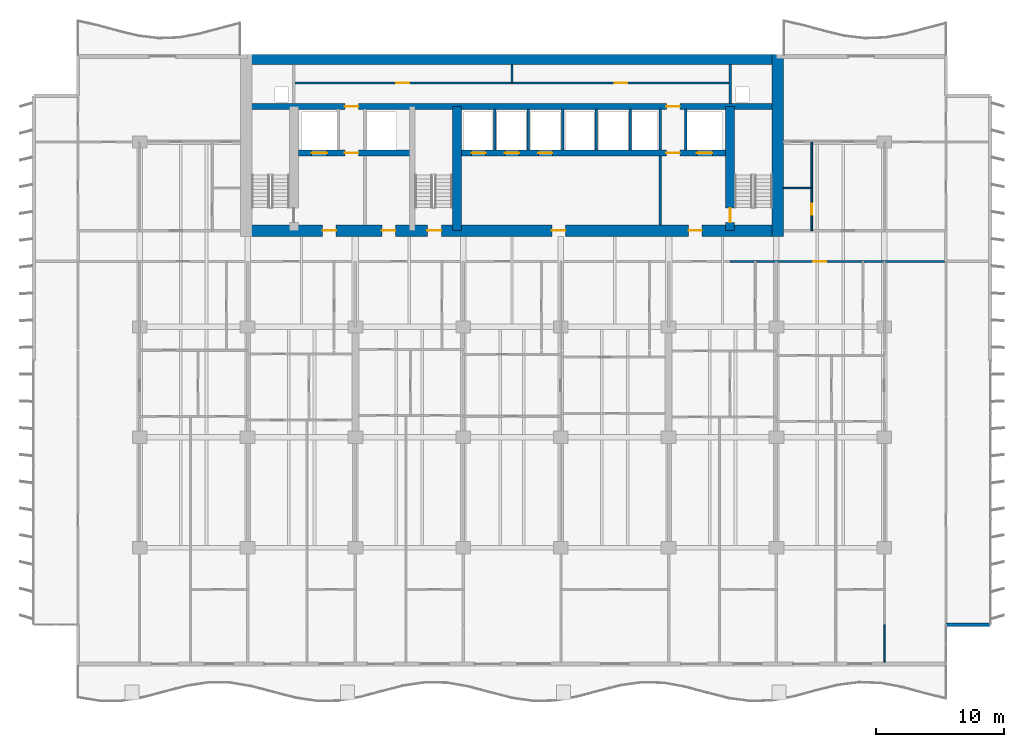
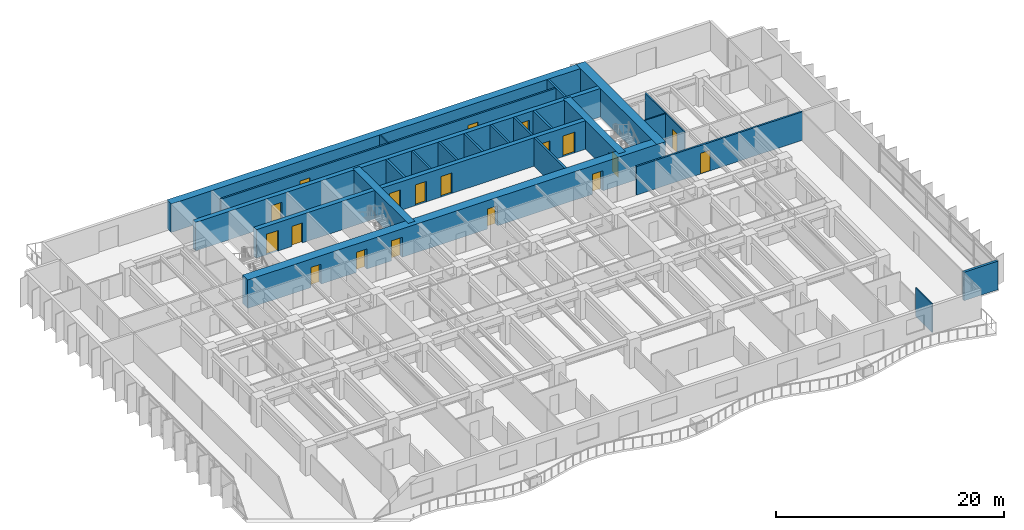
# One storey, part 11 of 17: 23 walls, 19 doors, 19 openings.
"""IFC4 building model written with IfcOpenShell, lengths in metres."""

from ifc_helpers import new_model, si_unit, direction, frame, frame_2d, origin, place, context, subcontext, project, spatial, rectangle, extrude, material, layer, layer_set, type_object, element, fill, save


model = new_model("IFC4")

# Units and contexts
model_context = context("Model", 3, precision=1e-05, world=origin(), true_north=direction((0.0, 1.0)))
body_context = subcontext(model_context, "Body", "Model", "MODEL_VIEW")
ifc_project = project(units=[si_unit("LENGTHUNIT", "METRE"), si_unit("AREAUNIT", "SQUARE_METRE"), si_unit("VOLUMEUNIT", "CUBIC_METRE"), si_unit("PLANEANGLEUNIT", "RADIAN"), si_unit("MASSUNIT", "GRAM", prefix="KILO")], contexts=[model_context])

# Site, building, storey
site_placement = place(None, origin())
site = spatial("IfcSite", under=ifc_project, at=site_placement, CompositionType="ELEMENT")
building_placement = place(site_placement, origin())
building = spatial("IfcBuilding", under=site, at=building_placement, Name="Caelmar Bay Residences", CompositionType="ELEMENT")
storey_placement = place(building_placement, frame((0.0, 0.0, 33.300048828125)))
storey = spatial("IfcBuildingStorey", under=building, at=storey_placement, Name="L07", CompositionType="ELEMENT", Elevation=33.300048828125)

# Wall, opening, door
ifc_material_1 = material(Name="Concrete f'c 55 MPa (8,000 psi)", Category="concrete")
ifc_layer_1 = layer(ifc_material_1, 0.699951171875)
ifc_layer_set_1 = layer_set([ifc_layer_1], Name="Concrete f'c 55 MPa (8,000 psi)")
wall_type_1 = type_object("IfcWallType", Name="SW-COR-700", PredefinedType="SHEAR", material=ifc_layer_set_1)
wall_1_placement = place(storey_placement, frame((55.89990234375, 36.89990234375, 0.0), z_axis=(0.0, 0.0, 1.0), x_axis=(0.0, 1.0, 0.0)))
wall_1 = element("IfcWall", 1, at=wall_1_placement, inside=storey, type_object=wall_type_1, Name="L07 Core Structural Web Wall ST2W", PredefinedType="SHEAR", context=body_context, shape_type="SweptSolid", body=[
    extrude(rectangle(XDim=9.675048828125, YDim=0.699951171875, at=frame_2d((4.83740234375, 0.0))), origin(), (0.0, 0.0, 1.0), 3.050048828125),
])
opening_1_placement = place(wall_1_placement, frame((0.64990234375, 0.0, 0.0)))
opening_1 = element("IfcOpeningElement", 2, at=opening_1_placement, cuts=wall_1, Name="Opening D-L07-111", PredefinedType="OPENING", context=body_context, shape_type="SweptSolid", body=[
    extrude(rectangle(XDim=1.10009765625, YDim=2.14990234375, at=frame_2d((0.550048828125, 1.074951171875))), frame((0.0, 0.35986328125, 0.0), z_axis=(0.0, -1.0, 0.0), x_axis=(1.0, 0.0, 0.0)), (0.0, 0.0, 1.0), 0.719970703125),
])
ifc_material_2 = material(Name="Fire-rated steel and walnut architectural door assembly", Category="steel")
ifc_layer_2 = layer(ifc_material_2, 0.050048828125)
ifc_layer_set_2 = layer_set([ifc_layer_2], Name="Fire-rated steel and walnut architectural door assembly")
door_type_1 = type_object("IfcDoorType", Name="D-STAIR-1100", OperationType="NOTDEFINED", PredefinedType="DOOR", material=ifc_layer_set_2)
door_1_placement = place(opening_1_placement, origin())
door_1 = element("IfcDoor", 3, at=door_1_placement, inside=storey, type_object=door_type_1, Name="L07 Firefighting Lobby East Door", OperationType="SINGLE_SWING_RIGHT", OverallHeight=2.14990234375, OverallWidth=1.10009765625, PredefinedType="DOOR", context=body_context, shape_type="SweptSolid", body=[
    extrude(rectangle(XDim=1.10009765625, YDim=2.14990234375, at=frame_2d((0.550048828125, 1.074951171875))), frame((0.0, 0.02490234375, 0.0), z_axis=(0.0, -1.0, 0.0), x_axis=(1.0, 0.0, 0.0)), (0.0, 0.0, 1.0), 0.050048828125),
])
fill(opening_1, door_1)

# Wall
wall_2_placement = place(storey_placement, frame((34.60009765625, 36.89990234375, 0.0), z_axis=(0.0, 0.0, 1.0), x_axis=(0.0, 1.0, 0.0)))
element("IfcWall", 4, at=wall_2_placement, inside=storey, type_object=wall_type_1, Name="L07 Core Structural Web Wall ST3E", PredefinedType="SHEAR", context=body_context, shape_type="SweptSolid", body=[
    extrude(rectangle(XDim=9.675048828125, YDim=0.699951171875, at=frame_2d((4.83740234375, 0.0))), origin(), (0.0, 0.0, 1.0), 3.050048828125),
])

# Wall, openings, doors
ifc_material_3 = material(Name="Concrete f'c 70 MPa (10,000 psi)", Category="concrete")
ifc_layer_3 = layer(ifc_material_3, 0.89990234375)
ifc_layer_set_3 = layer_set([ifc_layer_3], Name="Concrete f'c 70 MPa (10,000 psi)")
wall_type_2 = type_object("IfcWallType", Name="SW-COR-900", PredefinedType="SHEAR", material=ifc_layer_set_3)
wall_3_placement = place(storey_placement, frame((17.75, 36.89990234375, 0.0), z_axis=(0.0, 0.0, 1.0), x_axis=(1.0, 0.0, 0.0)))
wall_3 = element("IfcWall", 5, at=wall_3_placement, inside=storey, type_object=wall_type_2, Name="L07 Rear Core South Shear Wall", PredefinedType="SHEAR", context=body_context, shape_type="SweptSolid", body=[
    extrude(rectangle(XDim=42.300048828125, YDim=0.89990234375, at=frame_2d((21.14990234375, 0.0))), origin(), (0.0, 0.0, 1.0), 3.050048828125),
])
opening_2_placement = place(wall_3_placement, frame((14.550048828125, 0.0, 0.0)))
opening_2 = element("IfcOpeningElement", 6, at=opening_2_placement, cuts=wall_3, Name="Opening D-L07-106", PredefinedType="OPENING", context=body_context, shape_type="SweptSolid", body=[
    extrude(rectangle(XDim=1.10009765625, YDim=2.14990234375, at=frame_2d((0.550048828125, 1.074951171875))), frame((0.0, 0.4599609375, 0.0), z_axis=(0.0, -1.0, 0.0), x_axis=(1.0, 0.0, 0.0)), (0.0, 0.0, 1.0), 0.919921875),
])
opening_3_placement = place(wall_3_placement, frame((6.39990234375, 0.0, 0.0)))
opening_3 = element("IfcOpeningElement", 7, at=opening_3_placement, cuts=wall_3, Name="Opening D-L07-107", PredefinedType="OPENING", context=body_context, shape_type="SweptSolid", body=[
    extrude(rectangle(XDim=1.050048828125, YDim=2.14990234375, at=frame_2d((0.52490234375, 1.074951171875))), frame((0.0, 0.4599609375, 0.0), z_axis=(0.0, -1.0, 0.0), x_axis=(1.0, 0.0, 0.0)), (0.0, 0.0, 1.0), 0.919921875),
])
opening_4_placement = place(wall_3_placement, frame((34.89990234375, 0.0, 0.0)))
opening_4 = element("IfcOpeningElement", 8, at=opening_4_placement, cuts=wall_3, Name="Opening D-L07-110", PredefinedType="OPENING", context=body_context, shape_type="SweptSolid", body=[
    extrude(rectangle(XDim=1.050048828125, YDim=2.14990234375, at=frame_2d((0.52490234375, 1.074951171875))), frame((0.0, 0.4599609375, 0.0), z_axis=(0.0, -1.0, 0.0), x_axis=(1.0, 0.0, 0.0)), (0.0, 0.0, 1.0), 0.919921875),
])
opening_5_placement = place(wall_3_placement, frame((11.012451171875, 0.0, 0.0)))
opening_5 = element("IfcOpeningElement", 9, at=opening_5_placement, cuts=wall_3, Name="Opening D-L07-113", PredefinedType="OPENING", context=body_context, shape_type="SweptSolid", body=[
    extrude(rectangle(XDim=1.050048828125, YDim=2.14990234375, at=frame_2d((0.52490234375, 1.074951171875))), frame((0.0, 0.4599609375, 0.0), z_axis=(0.0, -1.0, 0.0), x_axis=(1.0, 0.0, 0.0)), (0.0, 0.0, 1.0), 0.919921875),
])
opening_6_placement = place(wall_3_placement, frame((24.25, 0.0, 0.0)))
opening_6 = element("IfcOpeningElement", 10, at=opening_6_placement, cuts=wall_3, Name="Opening D-L07-114", PredefinedType="OPENING", context=body_context, shape_type="SweptSolid", body=[
    extrude(rectangle(XDim=1.050048828125, YDim=2.14990234375, at=frame_2d((0.52490234375, 1.074951171875))), frame((0.0, 0.4599609375, 0.0), z_axis=(0.0, -1.0, 0.0), x_axis=(1.0, 0.0, 0.0)), (0.0, 0.0, 1.0), 0.919921875),
])
ifc_layer_4 = layer(ifc_material_2, 0.050048828125)
ifc_layer_set_4 = layer_set([ifc_layer_4], Name="Fire-rated steel and walnut architectural door assembly")
door_type_2 = type_object("IfcDoorType", Name="D-FSAE-1050", OperationType="NOTDEFINED", PredefinedType="DOOR", material=ifc_layer_set_4)
door_2_placement = place(opening_3_placement, origin())
door_2 = element("IfcDoor", 11, at=door_2_placement, inside=storey, type_object=door_type_2, Name="L07 Firefighting Lobby West Door", OperationType="SINGLE_SWING_RIGHT", OverallHeight=2.14990234375, OverallWidth=1.050048828125, PredefinedType="DOOR", context=body_context, shape_type="SweptSolid", body=[
    extrude(rectangle(XDim=1.050048828125, YDim=2.14990234375, at=frame_2d((0.52490234375, 1.074951171875))), frame((0.0, 0.02490234375, 0.0), z_axis=(0.0, -1.0, 0.0), x_axis=(1.0, 0.0, 0.0)), (0.0, 0.0, 1.0), 0.050048828125),
])
fill(opening_3, door_2)
door_3_placement = place(opening_4_placement, origin())
door_3 = element("IfcDoor", 12, at=door_3_placement, inside=storey, type_object=door_type_2, Name="L07 Firefighting Lobby East Door", OperationType="SINGLE_SWING_LEFT", OverallHeight=2.14990234375, OverallWidth=1.050048828125, PredefinedType="DOOR", context=body_context, shape_type="SweptSolid", body=[
    extrude(rectangle(XDim=1.050048828125, YDim=2.14990234375, at=frame_2d((0.52490234375, 1.074951171875))), frame((0.0, 0.02490234375, 0.0), z_axis=(0.0, -1.0, 0.0), x_axis=(1.0, 0.0, 0.0)), (0.0, 0.0, 1.0), 0.050048828125),
])
fill(opening_4, door_3)
door_4_placement = place(opening_5_placement, origin())
door_4 = element("IfcDoor", 13, at=door_4_placement, inside=storey, type_object=door_type_2, Name="L07 West Lift Lobby Door", OperationType="SINGLE_SWING_RIGHT", OverallHeight=2.14990234375, OverallWidth=1.050048828125, PredefinedType="DOOR", context=body_context, shape_type="SweptSolid", body=[
    extrude(rectangle(XDim=1.050048828125, YDim=2.14990234375, at=frame_2d((0.52490234375, 1.074951171875))), frame((0.0, 0.02490234375, 0.0), z_axis=(0.0, -1.0, 0.0), x_axis=(1.0, 0.0, 0.0)), (0.0, 0.0, 1.0), 0.050048828125),
])
fill(opening_5, door_4)
door_5_placement = place(opening_6_placement, origin())
door_5 = element("IfcDoor", 14, at=door_5_placement, inside=storey, type_object=door_type_2, Name="L07 Passenger Lift Lobby Door", OperationType="SINGLE_SWING_LEFT", OverallHeight=2.14990234375, OverallWidth=1.050048828125, PredefinedType="DOOR", context=body_context, shape_type="SweptSolid", body=[
    extrude(rectangle(XDim=1.050048828125, YDim=2.14990234375, at=frame_2d((0.52490234375, 1.074951171875))), frame((0.0, 0.02490234375, 0.0), z_axis=(0.0, -1.0, 0.0), x_axis=(1.0, 0.0, 0.0)), (0.0, 0.0, 1.0), 0.050048828125),
])
fill(opening_6, door_5)
door_6_placement = place(opening_2_placement, origin())
door_6 = element("IfcDoor", 15, at=door_6_placement, inside=storey, type_object=door_type_1, Name="L07 Exit Stair ST3 Door", OperationType="SINGLE_SWING_LEFT", OverallHeight=2.14990234375, OverallWidth=1.10009765625, PredefinedType="DOOR", context=body_context, shape_type="SweptSolid", body=[
    extrude(rectangle(XDim=1.10009765625, YDim=2.14990234375, at=frame_2d((0.550048828125, 1.074951171875))), frame((0.0, 0.02490234375, 0.0), z_axis=(0.0, -1.0, 0.0), x_axis=(1.0, 0.0, 0.0)), (0.0, 0.0, 1.0), 0.050048828125),
])
fill(opening_2, door_6)

# Walls
wall_4_placement = place(storey_placement, frame((59.60009765625, 36.449951171875, 0.0), z_axis=(0.0, 0.0, 1.0), x_axis=(0.0, 1.0, 0.0)))
element("IfcWall", 16, at=wall_4_placement, inside=storey, type_object=wall_type_2, Name="L07 Rear Core East Shear Wall", PredefinedType="SHEAR", context=body_context, shape_type="SweptSolid", body=[
    extrude(rectangle(XDim=14.150146484375, YDim=0.89990234375, at=frame_2d((7.0751953125, 0.0))), origin(), (0.0, 0.0, 1.0), 3.050048828125),
])
ifc_layer_5 = layer(ifc_material_3, 0.75)
ifc_layer_set_5 = layer_set([ifc_layer_5], Name="Concrete f'c 70 MPa (10,000 psi)")
wall_type_3 = type_object("IfcWallType", Name="SW-CORN-750", PredefinedType="SHEAR", material=ifc_layer_set_5)
wall_5_placement = place(storey_placement, frame((17.75, 50.22509765625, 0.0), z_axis=(0.0, 0.0, 1.0), x_axis=(1.0, 0.0, 0.0)))
element("IfcWall", 17, at=wall_5_placement, inside=storey, type_object=wall_type_3, Name="L07 Rear Core North Shear Wall", PredefinedType="SHEAR", context=body_context, shape_type="SweptSolid", body=[
    extrude(rectangle(XDim=42.300048828125, YDim=0.75, at=frame_2d((21.14990234375, 0.0))), origin(), (0.0, 0.0, 1.0), 3.050048828125),
])

# Wall, openings, doors
ifc_layer_6 = layer(ifc_material_3, 0.449951171875)
ifc_layer_set_6 = layer_set([ifc_layer_6], Name="Concrete f'c 70 MPa (10,000 psi)")
wall_type_4 = type_object("IfcWallType", Name="SW-WEB-450", PredefinedType="SHEAR", material=ifc_layer_set_6)
wall_6_placement = place(storey_placement, frame((22.25, 42.949951171875, 0.0), z_axis=(0.0, 0.0, 1.0), x_axis=(1.0, 0.0, 0.0)))
wall_6 = element("IfcWall", 18, at=wall_6_placement, inside=storey, type_object=wall_type_4, Name="L07 Core Structural Web Wall LFR", PredefinedType="SHEAR", context=body_context, shape_type="SweptSolid", body=[
    extrude(rectangle(XDim=33.300048828125, YDim=0.449951171875, at=frame_2d((16.64990234375, 0.0))), origin(), (0.0, 0.0, 1.0), 3.050048828125),
])
opening_7_placement = place(wall_6_placement, frame((1.050048828125, 0.0, 0.0)))
opening_7 = element("IfcOpeningElement", 19, at=opening_7_placement, cuts=wall_6, Name="Opening LD2", PredefinedType="OPENING", context=body_context, shape_type="SweptSolid", body=[
    extrude(rectangle(XDim=1.199951171875, YDim=2.199951171875, at=frame_2d((0.60009765625, 1.10009765625))), frame((0.0, 0.23486328125, 0.0), z_axis=(0.0, -1.0, 0.0), x_axis=(1.0, 0.0, 0.0)), (0.0, 0.0, 1.0), 0.469970703125),
])
opening_8_placement = place(wall_6_placement, frame((31.050048828125, 0.0, 0.0)))
opening_8 = element("IfcOpeningElement", 20, at=opening_8_placement, cuts=wall_6, Name="Opening LD2", PredefinedType="OPENING", context=body_context, shape_type="SweptSolid", body=[
    extrude(rectangle(XDim=1.199951171875, YDim=2.199951171875, at=frame_2d((0.60009765625, 1.10009765625))), frame((0.0, 0.23486328125, 0.0), z_axis=(0.0, -1.0, 0.0), x_axis=(1.0, 0.0, 0.0)), (0.0, 0.0, 1.0), 0.469970703125),
])
opening_9_placement = place(wall_6_placement, frame((13.5, 0.0, 0.0)))
opening_9 = element("IfcOpeningElement", 21, at=opening_9_placement, cuts=wall_6, Name="Opening LD1", PredefinedType="OPENING", context=body_context, shape_type="SweptSolid", body=[
    extrude(rectangle(XDim=1.10009765625, YDim=2.199951171875, at=frame_2d((0.550048828125, 1.10009765625))), frame((0.0, 0.23486328125, 0.0), z_axis=(0.0, -1.0, 0.0), x_axis=(1.0, 0.0, 0.0)), (0.0, 0.0, 1.0), 0.469970703125),
])
opening_10_placement = place(wall_6_placement, frame((16.10009765625, 0.0, 0.0)))
opening_10 = element("IfcOpeningElement", 22, at=opening_10_placement, cuts=wall_6, Name="Opening LD1", PredefinedType="OPENING", context=body_context, shape_type="SweptSolid", body=[
    extrude(rectangle(XDim=1.10009765625, YDim=2.199951171875, at=frame_2d((0.550048828125, 1.10009765625))), frame((0.0, 0.23486328125, 0.0), z_axis=(0.0, -1.0, 0.0), x_axis=(1.0, 0.0, 0.0)), (0.0, 0.0, 1.0), 0.469970703125),
])
opening_11_placement = place(wall_6_placement, frame((18.699951171875, 0.0, 0.0)))
opening_11 = element("IfcOpeningElement", 23, at=opening_11_placement, cuts=wall_6, Name="Opening LD1", PredefinedType="OPENING", context=body_context, shape_type="SweptSolid", body=[
    extrude(rectangle(XDim=1.10009765625, YDim=2.199951171875, at=frame_2d((0.550048828125, 1.10009765625))), frame((0.0, 0.23486328125, 0.0), z_axis=(0.0, -1.0, 0.0), x_axis=(1.0, 0.0, 0.0)), (0.0, 0.0, 1.0), 0.469970703125),
])
opening_12_placement = place(wall_6_placement, frame((3.625, 0.0, 0.0)))
opening_12 = element("IfcOpeningElement", 24, at=opening_12_placement, cuts=wall_6, Name="Opening D-L07-109", PredefinedType="OPENING", context=body_context, shape_type="SweptSolid", body=[
    extrude(rectangle(XDim=1.050048828125, YDim=2.14990234375, at=frame_2d((0.52490234375, 1.074951171875))), frame((0.0, 0.23486328125, 0.0), z_axis=(0.0, -1.0, 0.0), x_axis=(1.0, 0.0, 0.0)), (0.0, 0.0, 1.0), 0.469970703125),
])
opening_13_placement = place(wall_6_placement, frame((28.675048828125, 0.0, 0.0)))
opening_13 = element("IfcOpeningElement", 25, at=opening_13_placement, cuts=wall_6, Name="Opening D-L07-112", PredefinedType="OPENING", context=body_context, shape_type="SweptSolid", body=[
    extrude(rectangle(XDim=1.050048828125, YDim=2.14990234375, at=frame_2d((0.52490234375, 1.074951171875))), frame((0.0, 0.23486328125, 0.0), z_axis=(0.0, -1.0, 0.0), x_axis=(1.0, 0.0, 0.0)), (0.0, 0.0, 1.0), 0.469970703125),
])
door_7_placement = place(opening_12_placement, origin())
door_7 = element("IfcDoor", 26, at=door_7_placement, inside=storey, type_object=door_type_2, Name="L07 Firefighting Lobby West Door", OperationType="SINGLE_SWING_RIGHT", OverallHeight=2.14990234375, OverallWidth=1.050048828125, PredefinedType="DOOR", context=body_context, shape_type="SweptSolid", body=[
    extrude(rectangle(XDim=1.050048828125, YDim=2.14990234375, at=frame_2d((0.52490234375, 1.074951171875))), frame((0.0, 0.02490234375, 0.0), z_axis=(0.0, -1.0, 0.0), x_axis=(1.0, 0.0, 0.0)), (0.0, 0.0, 1.0), 0.050048828125),
])
fill(opening_12, door_7)
door_8_placement = place(opening_13_placement, origin())
door_8 = element("IfcDoor", 27, at=door_8_placement, inside=storey, type_object=door_type_2, Name="L07 Firefighting Lobby East Door", OperationType="SINGLE_SWING_LEFT", OverallHeight=2.14990234375, OverallWidth=1.050048828125, PredefinedType="DOOR", context=body_context, shape_type="SweptSolid", body=[
    extrude(rectangle(XDim=1.050048828125, YDim=2.14990234375, at=frame_2d((0.52490234375, 1.074951171875))), frame((0.0, 0.02490234375, 0.0), z_axis=(0.0, -1.0, 0.0), x_axis=(1.0, 0.0, 0.0)), (0.0, 0.0, 1.0), 0.050048828125),
])
fill(opening_13, door_8)
ifc_material_4 = material(Name="Brushed bronze stainless-steel fire-rated lift landing doors", Category="steel")
ifc_layer_7 = layer(ifc_material_4, 0.050048828125)
ifc_layer_set_7 = layer_set([ifc_layer_7], Name="Brushed bronze stainless-steel fire-rated lift landing doors")
door_type_3 = type_object("IfcDoorType", Name="D-LND-1100", OperationType="DOUBLE_DOOR_SLIDING", PredefinedType="DOOR", material=ifc_layer_set_7)
door_9_placement = place(opening_9_placement, origin())
door_9 = element("IfcDoor", 28, at=door_9_placement, inside=storey, type_object=door_type_3, Name="L07 LP1 Sliding Landing Door", OperationType="DOUBLE_DOOR_SLIDING", OverallHeight=2.199951171875, OverallWidth=1.10009765625, PredefinedType="DOOR", context=body_context, shape_type="SweptSolid", body=[
    extrude(rectangle(XDim=1.10009765625, YDim=2.199951171875, at=frame_2d((0.550048828125, 1.10009765625))), frame((0.0, 0.02490234375, 0.0), z_axis=(0.0, -1.0, 0.0), x_axis=(1.0, 0.0, 0.0)), (0.0, 0.0, 1.0), 0.050048828125),
])
fill(opening_9, door_9)
door_10_placement = place(opening_10_placement, origin())
door_10 = element("IfcDoor", 29, at=door_10_placement, inside=storey, type_object=door_type_3, Name="L07 LP2 Sliding Landing Door", OperationType="DOUBLE_DOOR_SLIDING", OverallHeight=2.199951171875, OverallWidth=1.10009765625, PredefinedType="DOOR", context=body_context, shape_type="SweptSolid", body=[
    extrude(rectangle(XDim=1.10009765625, YDim=2.199951171875, at=frame_2d((0.550048828125, 1.10009765625))), frame((0.0, 0.02490234375, 0.0), z_axis=(0.0, -1.0, 0.0), x_axis=(1.0, 0.0, 0.0)), (0.0, 0.0, 1.0), 0.050048828125),
])
fill(opening_10, door_10)
door_11_placement = place(opening_11_placement, origin())
door_11 = element("IfcDoor", 30, at=door_11_placement, inside=storey, type_object=door_type_3, Name="L07 LP3 Sliding Landing Door", OperationType="DOUBLE_DOOR_SLIDING", OverallHeight=2.199951171875, OverallWidth=1.10009765625, PredefinedType="DOOR", context=body_context, shape_type="SweptSolid", body=[
    extrude(rectangle(XDim=1.10009765625, YDim=2.199951171875, at=frame_2d((0.550048828125, 1.10009765625))), frame((0.0, 0.02490234375, 0.0), z_axis=(0.0, -1.0, 0.0), x_axis=(1.0, 0.0, 0.0)), (0.0, 0.0, 1.0), 0.050048828125),
])
fill(opening_11, door_11)
ifc_material_5 = material(Name="Brushed stainless-steel FSAE sliding landing door", Category="steel")
ifc_layer_8 = layer(ifc_material_5, 0.050048828125)
ifc_layer_set_8 = layer_set([ifc_layer_8], Name="Brushed stainless-steel FSAE sliding landing door")
door_type_4 = type_object("IfcDoorType", Name="D-LND-1200", OperationType="DOUBLE_DOOR_SLIDING", PredefinedType="DOOR", material=ifc_layer_set_8)
door_12_placement = place(opening_7_placement, origin())
door_12 = element("IfcDoor", 31, at=door_12_placement, inside=storey, type_object=door_type_4, Name="L07 LF1 Sliding Landing Door", OperationType="DOUBLE_DOOR_SLIDING", OverallHeight=2.199951171875, OverallWidth=1.199951171875, PredefinedType="DOOR", context=body_context, shape_type="SweptSolid", body=[
    extrude(rectangle(XDim=1.199951171875, YDim=2.199951171875, at=frame_2d((0.60009765625, 1.10009765625))), frame((0.0, 0.02490234375, 0.0), z_axis=(0.0, -1.0, 0.0), x_axis=(1.0, 0.0, 0.0)), (0.0, 0.0, 1.0), 0.050048828125),
])
fill(opening_7, door_12)
door_13_placement = place(opening_8_placement, origin())
door_13 = element("IfcDoor", 32, at=door_13_placement, inside=storey, type_object=door_type_4, Name="L07 LF2 Sliding Landing Door", OperationType="DOUBLE_DOOR_SLIDING", OverallHeight=2.199951171875, OverallWidth=1.199951171875, PredefinedType="DOOR", context=body_context, shape_type="SweptSolid", body=[
    extrude(rectangle(XDim=1.199951171875, YDim=2.199951171875, at=frame_2d((0.60009765625, 1.10009765625))), frame((0.0, 0.02490234375, 0.0), z_axis=(0.0, -1.0, 0.0), x_axis=(1.0, 0.0, 0.0)), (0.0, 0.0, 1.0), 0.050048828125),
])
fill(opening_8, door_13)

wall_7_placement = place(storey_placement, frame((18.199951171875, 46.574951171875, 0.0), z_axis=(0.0, 0.0, 1.0), x_axis=(1.0, 0.0, 0.0)))
wall_7 = element("IfcWall", 33, at=wall_7_placement, inside=storey, type_object=wall_type_4, Name="L07 Core Structural Web Wall SRVS", PredefinedType="SHEAR", context=body_context, shape_type="SweptSolid", body=[
    extrude(rectangle(XDim=41.400146484375, YDim=0.449951171875, at=frame_2d((20.7001953125, 0.0))), origin(), (0.0, 0.0, 1.0), 3.050048828125),
])
opening_14_placement = place(wall_7_placement, frame((7.675048828125, 0.0, 0.0)))
opening_14 = element("IfcOpeningElement", 34, at=opening_14_placement, cuts=wall_7, Name="Opening D-L07-115", PredefinedType="OPENING", context=body_context, shape_type="SweptSolid", body=[
    extrude(rectangle(XDim=1.050048828125, YDim=2.14990234375, at=frame_2d((0.52490234375, 1.074951171875))), frame((0.0, 0.23486328125, 0.0), z_axis=(0.0, -1.0, 0.0), x_axis=(1.0, 0.0, 0.0)), (0.0, 0.0, 1.0), 0.469970703125),
])
opening_15_placement = place(wall_7_placement, frame((32.72509765625, 0.0, 0.0)))
opening_15 = element("IfcOpeningElement", 35, at=opening_15_placement, cuts=wall_7, Name="Opening D-L07-116", PredefinedType="OPENING", context=body_context, shape_type="SweptSolid", body=[
    extrude(rectangle(XDim=1.050048828125, YDim=2.14990234375, at=frame_2d((0.52490234375, 1.074951171875))), frame((0.0, 0.23486328125, 0.0), z_axis=(0.0, -1.0, 0.0), x_axis=(1.0, 0.0, 0.0)), (0.0, 0.0, 1.0), 0.469970703125),
])
door_14_placement = place(opening_14_placement, origin())
door_14 = element("IfcDoor", 36, at=door_14_placement, inside=storey, type_object=door_type_2, Name="L07 Core Service Corridor Door", OperationType="SINGLE_SWING_RIGHT", OverallHeight=2.14990234375, OverallWidth=1.050048828125, PredefinedType="DOOR", context=body_context, shape_type="SweptSolid", body=[
    extrude(rectangle(XDim=1.050048828125, YDim=2.14990234375, at=frame_2d((0.52490234375, 1.074951171875))), frame((0.0, 0.02490234375, 0.0), z_axis=(0.0, -1.0, 0.0), x_axis=(1.0, 0.0, 0.0)), (0.0, 0.0, 1.0), 0.050048828125),
])
fill(opening_14, door_14)
door_15_placement = place(opening_15_placement, origin())
door_15 = element("IfcDoor", 37, at=door_15_placement, inside=storey, type_object=door_type_2, Name="L07 Core Service Corridor Door", OperationType="SINGLE_SWING_LEFT", OverallHeight=2.14990234375, OverallWidth=1.050048828125, PredefinedType="DOOR", context=body_context, shape_type="SweptSolid", body=[
    extrude(rectangle(XDim=1.050048828125, YDim=2.14990234375, at=frame_2d((0.52490234375, 1.074951171875))), frame((0.0, 0.02490234375, 0.0), z_axis=(0.0, -1.0, 0.0), x_axis=(1.0, 0.0, 0.0)), (0.0, 0.0, 1.0), 0.050048828125),
])
fill(opening_15, door_15)

# Wall, opening, door
ifc_material_6 = material(Name="Double-stud acoustic fire-rated gypsum partition 180 mm")
ifc_layer_9 = layer(ifc_material_6, 0.179931640625)
ifc_layer_set_9 = layer_set([ifc_layer_9], Name="Double-stud acoustic fire-rated gypsum partition 180 mm")
wall_type_5 = type_object("IfcWallType", Name="W-COR-200", PredefinedType="PARTITIONING", material=ifc_layer_set_9)
wall_8_placement = place(storey_placement, frame((55.89990234375, 34.5, 0.0), z_axis=(0.0, 0.0, 1.0), x_axis=(1.0, 0.0, 0.0)))
wall_8 = element("IfcWall", 38, at=wall_8_placement, inside=storey, type_object=wall_type_5, Name="L07 Partition Wall H125", PredefinedType="PARTITIONING", context=body_context, shape_type="SweptSolid", body=[
    extrude(rectangle(XDim=16.800048828125, YDim=0.179931640625, at=frame_2d((8.39990234375, 0.0))), origin(), (0.0, 0.0, 1.0), 3.050048828125),
])
opening_16_placement = place(wall_8_placement, frame((6.47509765625, 0.0, 0.0)))
opening_16 = element("IfcOpeningElement", 39, at=opening_16_placement, cuts=wall_8, Name="Opening D-L07-157", PredefinedType="OPENING", context=body_context, shape_type="SweptSolid", body=[
    extrude(rectangle(XDim=1.0, YDim=2.199951171875, at=frame_2d((0.5, 1.10009765625))), frame((0.0, 0.099853515625, 0.0), z_axis=(0.0, -1.0, 0.0), x_axis=(1.0, 0.0, 0.0)), (0.0, 0.0, 1.0), 0.199951171875),
])
ifc_layer_10 = layer(ifc_material_2, 0.050048828125)
ifc_layer_set_10 = layer_set([ifc_layer_10], Name="Fire-rated steel and walnut architectural door assembly")
door_type_5 = type_object("IfcDoorType", Name="D-UNIT-1000", OperationType="NOTDEFINED", PredefinedType="DOOR", material=ifc_layer_set_10)
door_16_placement = place(opening_16_placement, origin())
door_16 = element("IfcDoor", 40, at=door_16_placement, inside=storey, type_object=door_type_5, Name="L07 Residence 06 Apartment Hall Door", OperationType="SINGLE_SWING_RIGHT", OverallHeight=2.199951171875, OverallWidth=1.0, PredefinedType="DOOR", context=body_context, shape_type="SweptSolid", body=[
    extrude(rectangle(XDim=1.0, YDim=2.199951171875, at=frame_2d((0.5, 1.10009765625))), frame((0.0, 0.02490234375, 0.0), z_axis=(0.0, -1.0, 0.0), x_axis=(1.0, 0.0, 0.0)), (0.0, 0.0, 1.0), 0.050048828125),
])
fill(opening_16, door_16)

# Wall, openings, doors
wall_9_placement = place(storey_placement, frame((21.89990234375, 48.39990234375, 0.0), z_axis=(0.0, 0.0, 1.0), x_axis=(1.0, 0.0, 0.0)))
wall_9 = element("IfcWall", 41, at=wall_9_placement, inside=storey, type_object=wall_type_5, Name="L07 Partition Wall H133", PredefinedType="PARTITIONING", context=body_context, shape_type="SweptSolid", body=[
    extrude(rectangle(XDim=33.986083984375, YDim=0.179931640625, at=frame_2d((16.9931640625, 0.0))), origin(), (0.0, 0.0, 1.0), 3.050048828125),
])
opening_17_placement = place(wall_9_placement, frame((8.0, 0.0, 0.0)))
opening_17 = element("IfcOpeningElement", 42, at=opening_17_placement, cuts=wall_9, Name="Opening D-L07-117", PredefinedType="OPENING", context=body_context, shape_type="SweptSolid", body=[
    extrude(rectangle(XDim=1.0, YDim=2.199951171875, at=frame_2d((0.5, 1.10009765625))), frame((0.0, 0.099853515625, 0.0), z_axis=(0.0, -1.0, 0.0), x_axis=(1.0, 0.0, 0.0)), (0.0, 0.0, 1.0), 0.199951171875),
])
opening_18_placement = place(wall_9_placement, frame((24.992919921875, 0.0, 0.0)))
opening_18 = element("IfcOpeningElement", 43, at=opening_18_placement, cuts=wall_9, Name="Opening D-L07-118", PredefinedType="OPENING", context=body_context, shape_type="SweptSolid", body=[
    extrude(rectangle(XDim=1.0, YDim=2.199951171875, at=frame_2d((0.5, 1.10009765625))), frame((0.0, 0.099853515625, 0.0), z_axis=(0.0, -1.0, 0.0), x_axis=(1.0, 0.0, 0.0)), (0.0, 0.0, 1.0), 0.199951171875),
])
door_17_placement = place(opening_17_placement, origin())
door_17 = element("IfcDoor", 44, at=door_17_placement, inside=storey, type_object=door_type_5, Name="L07 Building Management Office Door", OperationType="SINGLE_SWING_RIGHT", OverallHeight=2.199951171875, OverallWidth=1.0, PredefinedType="DOOR", context=body_context, shape_type="SweptSolid", body=[
    extrude(rectangle(XDim=1.0, YDim=2.199951171875, at=frame_2d((0.5, 1.10009765625))), frame((0.0, 0.02490234375, 0.0), z_axis=(0.0, -1.0, 0.0), x_axis=(1.0, 0.0, 0.0)), (0.0, 0.0, 1.0), 0.050048828125),
])
fill(opening_17, door_17)
door_18_placement = place(opening_18_placement, origin())
door_18 = element("IfcDoor", 45, at=door_18_placement, inside=storey, type_object=door_type_5, Name="L07 Concierge Operations Office Door", OperationType="SINGLE_SWING_LEFT", OverallHeight=2.199951171875, OverallWidth=1.0, PredefinedType="DOOR", context=body_context, shape_type="SweptSolid", body=[
    extrude(rectangle(XDim=1.0, YDim=2.199951171875, at=frame_2d((0.5, 1.10009765625))), frame((0.0, 0.02490234375, 0.0), z_axis=(0.0, -1.0, 0.0), x_axis=(1.0, 0.0, 0.0)), (0.0, 0.0, 1.0), 0.050048828125),
])
fill(opening_18, door_18)

# Walls
ifc_material_7 = material(Name="Precast concrete f'c 40 MPa (6,000 psi)", Category="concrete")
ifc_layer_11 = layer(ifc_material_7, 0.25)
ifc_layer_set_11 = layer_set([ifc_layer_11], Name="Precast concrete f'c 40 MPa (6,000 psi)")
wall_type_6 = type_object("IfcWallType", Name="W-EXT-250", PredefinedType="ELEMENTEDWALL", material=ifc_layer_set_11)
wall_10_placement = place(storey_placement, frame((72.699951171875, 6.199951171875, 0.0), z_axis=(0.0, 0.0, 1.0), x_axis=(1.0, 0.0, 0.0)))
element("IfcWall", 46, at=wall_10_placement, inside=storey, type_object=wall_type_6, Name="L07 SE Notch Return Wall", PredefinedType="ELEMENTEDWALL", context=body_context, shape_type="SweptSolid", body=[
    extrude(rectangle(XDim=3.449951171875, YDim=0.25, at=frame_2d((1.72509765625, 0.0))), origin(), (0.0, 0.0, 1.0), 3.050048828125),
])
ifc_material_8 = material(Name="Fire-rated masonry and gypsum shaftliner assembly 200 mm", Category="masonry")
ifc_layer_12 = layer(ifc_material_8, 0.199951171875)
ifc_layer_set_12 = layer_set([ifc_layer_12], Name="Fire-rated masonry and gypsum shaftliner assembly 200 mm")
wall_type_7 = type_object("IfcWallType", Name="W-FSAE-200", PredefinedType="PARTITIONING", material=ifc_layer_set_12)
for number, where, z_axis, x_axis, name in (
    (47, (37.550048828125, 43.169921875, 0.0), (0.0, 0.0, 1.0), (0.0, 1.0, 0.0), "L07 Partition Wall V047"),
    (48, (40.14990234375, 43.169921875, 0.0), (0.0, 0.0, 1.0), (0.0, 1.0, 0.0), "L07 Partition Wall V049"),
    (49, (42.85009765625, 43.169921875, 0.0), (0.0, 0.0, 1.0), (0.0, 1.0, 0.0), "L07 Partition Wall V057"),
    (50, (45.449951171875, 43.169921875, 0.0), (0.0, 0.0, 1.0), (0.0, 1.0, 0.0), "L07 Partition Wall V058"),
    (51, (48.10009765625, 43.169921875, 0.0), (0.0, 0.0, 1.0), (0.0, 1.0, 0.0), "L07 Partition Wall V059"),
):
    element("IfcWall", number, at=place(storey_placement, frame(where, z_axis=z_axis, x_axis=x_axis)), inside=storey, type_object=wall_type_7, Name=name, PredefinedType="PARTITIONING", context=body_context, shape_type="SweptSolid", body=[
        extrude(rectangle(XDim=3.18505859375, YDim=0.199951171875, at=frame_2d((1.592529296875, 0.0))), origin(), (0.0, 0.0, 1.0), 3.050048828125),
    ])
wall_11_placement = place(storey_placement, frame((50.449951171875, 37.344970703125, 0.0), z_axis=(0.0, 0.0, 1.0), x_axis=(0.0, 1.0, 0.0)))
element("IfcWall", 52, at=wall_11_placement, inside=storey, type_object=wall_type_7, Name="L07 Partition Wall V063", PredefinedType="PARTITIONING", context=body_context, shape_type="SweptSolid", body=[
    extrude(rectangle(XDim=5.385009765625, YDim=0.199951171875, at=frame_2d((2.6923828125, 0.0))), origin(), (0.0, 0.0, 1.0), 3.050048828125),
])
for number, where, z_axis, x_axis, name in (
    (53, (50.449951171875, 43.169921875, 0.0), (0.0, 0.0, 1.0), (0.0, 1.0, 0.0), "L07 Partition Wall V064"),
    (54, (52.449951171875, 43.169921875, 0.0), (0.0, 0.0, 1.0), (0.0, 1.0, 0.0), "L07 Partition Wall V068"),
):
    element("IfcWall", number, at=place(storey_placement, frame(where, z_axis=z_axis, x_axis=x_axis)), inside=storey, type_object=wall_type_7, Name=name, PredefinedType="PARTITIONING", context=body_context, shape_type="SweptSolid", body=[
        extrude(rectangle(XDim=3.18505859375, YDim=0.199951171875, at=frame_2d((1.592529296875, 0.0))), origin(), (0.0, 0.0, 1.0), 3.050048828125),
    ])
wall_12_placement = place(storey_placement, frame((55.89990234375, 46.794921875, 0.0), z_axis=(0.0, 0.0, 1.0), x_axis=(0.0, 1.0, 0.0)))
element("IfcWall", 55, at=wall_12_placement, inside=storey, type_object=wall_type_7, Name="L07 Partition Wall V073", PredefinedType="PARTITIONING", context=body_context, shape_type="SweptSolid", body=[
    extrude(rectangle(XDim=3.06005859375, YDim=0.199951171875, at=frame_2d((1.530029296875, 0.0))), origin(), (0.0, 0.0, 1.0), 3.050048828125),
])
ifc_material_9 = material(Name="Acoustic metal-stud gypsum partition 120 mm")
ifc_layer_13 = layer(ifc_material_9, 0.1201171875)
ifc_layer_set_13 = layer_set([ifc_layer_13], Name="Acoustic metal-stud gypsum partition 120 mm")
wall_type_8 = type_object("IfcWallType", Name="W-PRT-120", PredefinedType="PARTITIONING", material=ifc_layer_set_13)
wall_13_placement = place(storey_placement, frame((38.89990234375, 48.39990234375, 0.0), z_axis=(0.0, 0.0, 1.0), x_axis=(0.0, 1.0, 0.0)))
element("IfcWall", 56, at=wall_13_placement, inside=storey, type_object=wall_type_8, Name="L07 Partition Wall V048", PredefinedType="PARTITIONING", context=body_context, shape_type="SweptSolid", body=[
    extrude(rectangle(XDim=1.455078125, YDim=0.1201171875, at=frame_2d((0.7275390625, 0.0))), origin(), (0.0, 0.0, 1.0), 3.050048828125),
])

# Wall, opening, door
wall_14_placement = place(storey_placement, frame((62.25, 36.89990234375, 0.0), z_axis=(0.0, 0.0, 1.0), x_axis=(0.0, 1.0, 0.0)))
wall_14 = element("IfcWall", 57, at=wall_14_placement, inside=storey, type_object=wall_type_8, Name="L07 Partition Wall V080", PredefinedType="PARTITIONING", context=body_context, shape_type="SweptSolid", body=[
    extrude(rectangle(XDim=6.900146484375, YDim=0.1201171875, at=frame_2d((3.4501953125, 0.0))), origin(), (0.0, 0.0, 1.0), 3.050048828125),
])
opening_19_placement = place(wall_14_placement, frame((1.23095703125, 0.0, 0.0)))
opening_19 = element("IfcOpeningElement", 58, at=opening_19_placement, cuts=wall_14, Name="Opening D-L07-177", PredefinedType="OPENING", context=body_context, shape_type="SweptSolid", body=[
    extrude(rectangle(XDim=0.85009765625, YDim=2.10009765625, at=frame_2d((0.425048828125, 1.050048828125))), frame((0.0, 0.070068359375, 0.0), z_axis=(0.0, -1.0, 0.0), x_axis=(1.0, 0.0, 0.0)), (0.0, 0.0, 1.0), 0.14013671875),
])
ifc_material_10 = material(Name="Solid walnut timber interior door leaf and frame", Category="wood")
ifc_layer_14 = layer(ifc_material_10, 0.050048828125)
ifc_layer_set_14 = layer_set([ifc_layer_14], Name="Solid walnut timber interior door leaf and frame")
door_type_6 = type_object("IfcDoorType", Name="D-BATH-850", OperationType="NOTDEFINED", PredefinedType="DOOR", material=ifc_layer_set_14)
door_19_placement = place(opening_19_placement, origin())
door_19 = element("IfcDoor", 59, at=door_19_placement, inside=storey, type_object=door_type_6, Name="L07 Residence EA Walk-In Closet Door", OperationType="SINGLE_SWING_RIGHT", OverallHeight=2.10009765625, OverallWidth=0.85009765625, PredefinedType="DOOR", context=body_context, shape_type="SweptSolid", body=[
    extrude(rectangle(XDim=0.85009765625, YDim=2.10009765625, at=frame_2d((0.425048828125, 1.050048828125))), frame((0.0, 0.02490234375, 0.0), z_axis=(0.0, -1.0, 0.0), x_axis=(1.0, 0.0, 0.0)), (0.0, 0.0, 1.0), 0.050048828125),
])
fill(opening_19, door_19)

# Walls
wall_15_placement = place(storey_placement, frame((67.89990234375, 3.294921875, 0.0), z_axis=(0.0, 0.0, 1.0), x_axis=(0.0, 1.0, 0.0)))
element("IfcWall", 60, at=wall_15_placement, inside=storey, type_object=wall_type_8, Name="L07 Partition Wall V087", PredefinedType="PARTITIONING", context=body_context, shape_type="SweptSolid", body=[
    extrude(rectangle(XDim=2.905029296875, YDim=0.1201171875, at=frame_2d((1.45263671875, 0.0))), origin(), (0.0, 0.0, 1.0), 3.050048828125),
])
wall_16_placement = place(storey_placement, frame((60.044921875, 40.2119140625, 0.0), z_axis=(0.0, 0.0, 1.0), x_axis=(1.0, 0.0, 0.0)))
element("IfcWall", 61, at=wall_16_placement, inside=storey, type_object=wall_type_8, Name="L07 Partition Wall H130", PredefinedType="PARTITIONING", context=body_context, shape_type="SweptSolid", body=[
    extrude(rectangle(XDim=2.205078125, YDim=0.1201171875, at=frame_2d((1.1025390625, 0.0))), origin(), (0.0, 0.0, 1.0), 3.050048828125),
])

save(model, "model.ifc")
